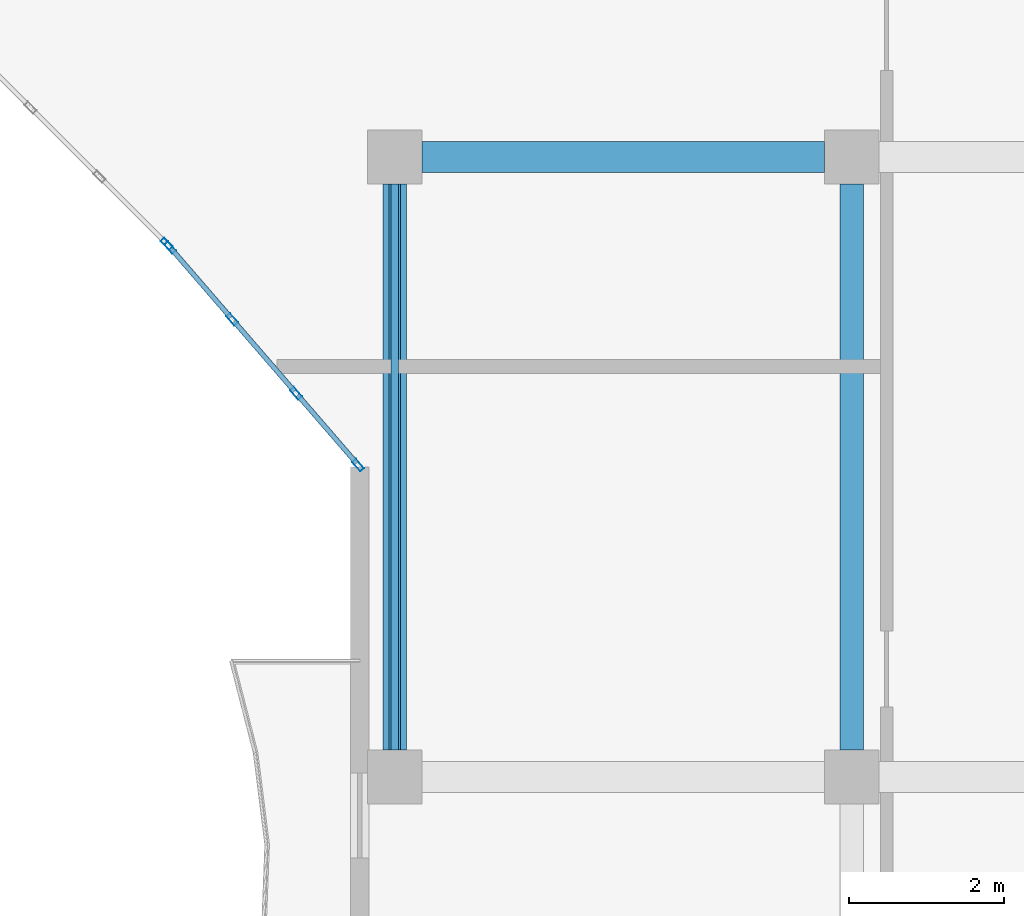
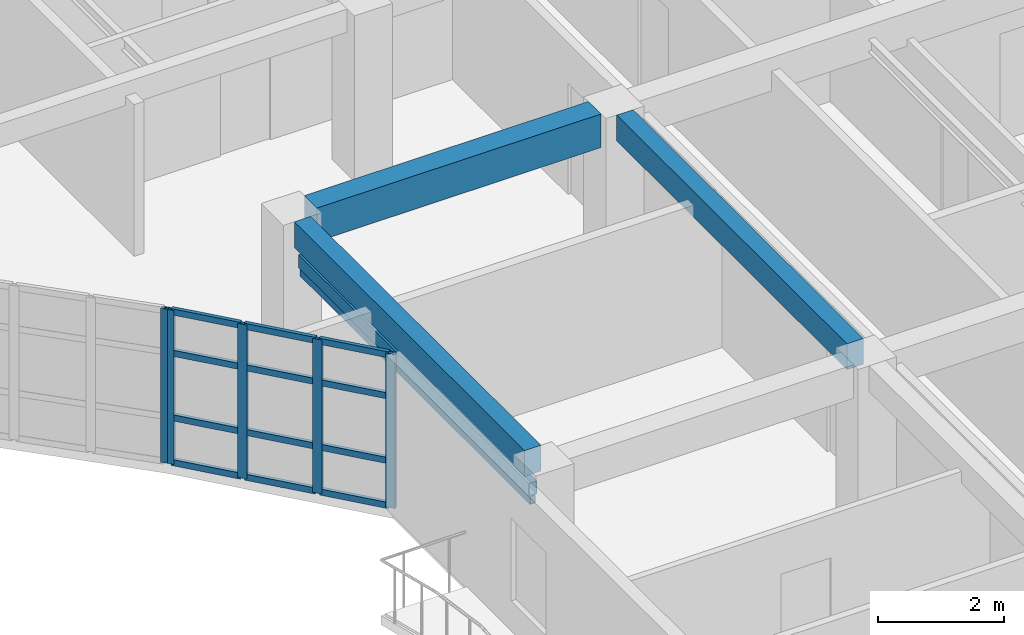
# One storey, part 54 of 128: 19 members, 3 beams, 2 elements without a shape of their own.
"""IFC4 building model written with IfcOpenShell, lengths in metres."""

from ifc_helpers import new_model, si_unit, direction, frame, origin, origin_2d, place, context, subcontext, project, spatial, rectangle, hollow_rectangle, extrude, material, layer, layer_set, material_profile, profile_set, type_object, element, aggregate, save


model = new_model("IFC4")

# Units and contexts
model_context = context("Model", 3, precision=1e-05, world=origin(), true_north=direction((0.0, 1.0)))
body_context = subcontext(model_context, "Body", "Model", "MODEL_VIEW")
ifc_project = project(units=[si_unit("LENGTHUNIT", "METRE"), si_unit("AREAUNIT", "SQUARE_METRE"), si_unit("VOLUMEUNIT", "CUBIC_METRE"), si_unit("PLANEANGLEUNIT", "RADIAN"), si_unit("MASSUNIT", "GRAM", prefix="KILO")], contexts=[model_context])

# Site, building, storey
site_placement = place(None, origin())
site = spatial("IfcSite", under=ifc_project, at=site_placement, CompositionType="ELEMENT")
building_placement = place(site_placement, origin())
building = spatial("IfcBuilding", under=site, at=building_placement, Name="Keldmere Railside Commons", CompositionType="ELEMENT")
storey_placement = place(building_placement, frame((0.0, 0.0, 4.159912109375)))
storey = spatial("IfcBuildingStorey", under=building, at=storey_placement, Name="L01", CompositionType="ELEMENT", Elevation=4.159912109375)

# Member
ifc_material_1 = material(Name="Steel F-36 (S355)", Category="steel")
ifc_material_profile_1 = material_profile(ifc_material_1, hollow_rectangle(XDim=0.14990234375, YDim=0.25, WallThickness=0.010009765625, at=origin_2d()), Name="RHS-250x150x10")
ifc_profile_set_1 = profile_set([ifc_material_profile_1], Name="Steel F-36 (S355)")
member_type_1 = type_object("IfcMemberType", Name="Balcony Continuous Planted Trough RHS250x150", PredefinedType="CHORD", material=ifc_profile_set_1)
member_1_placement = place(storey_placement, frame((104.449951171875, 88.35009765625, 2.4150390625), z_axis=(0.0, 1.0, 0.0), x_axis=(-1.0, 0.0, 0.0)))
element("IfcMember", 1, at=member_1_placement, inside=storey, type_object=member_type_1, Name="PLT-1 MEM-BPLT-0169", PredefinedType="CHORD", context=body_context, shape_type="SweptSolid", body=[
    extrude(hollow_rectangle(XDim=0.14990234375, YDim=0.25, WallThickness=0.010009765625, at=origin_2d()), origin(), (0.0, 0.0, 1.0), 7.2998046875),
])

# Beams
ifc_material_2 = material(Name="Concrete H-30 (C30/37)", Category="concrete")
ifc_material_profile_2 = material_profile(ifc_material_2, rectangle(XDim=0.39990234375, YDim=0.64990234375, at=origin_2d()), Name="RC-400x650")
ifc_profile_set_2 = profile_set([ifc_material_profile_2], Name="Concrete H-30 (C30/37)")
beam_type_1 = type_object("IfcBeamType", Name="Residential Spine RC Girder 400x650", PredefinedType="BEAM", material=ifc_profile_set_2)
beam_placement = place(storey_placement, frame((104.800048828125, 96.0, 2.875), z_axis=(1.0, 0.0, 0.0), x_axis=(0.0, 1.0, 0.0)))
element("IfcBeam", 2, at=beam_placement, inside=storey, type_object=beam_type_1, Name="BG-3 BM-L01-0815", PredefinedType="BEAM", context=body_context, shape_type="SweptSolid", body=[
    extrude(rectangle(XDim=0.39990234375, YDim=0.64990234375, at=origin_2d()), origin(), (0.0, 0.0, 1.0), 5.199951171875),
])
ifc_material_profile_3 = material_profile(ifc_material_2, rectangle(XDim=0.300048828125, YDim=0.5, at=origin_2d()), Name="RC-300x500")
ifc_profile_set_3 = profile_set([ifc_material_profile_3], Name="Concrete H-30 (C30/37)")
beam_type_2 = type_object("IfcBeamType", Name="Secondary Frame RC Beam 300x500", PredefinedType="BEAM", material=ifc_profile_set_3)
for number, where, z_axis, x_axis, name in (
    (3, (104.449951171875, 88.35009765625, 2.9501953125), (0.0, 1.0, 0.0), (-1.0, 0.0, 0.0), "BG-5 BM-L01-0916"),
    (4, (110.35009765625, 88.35009765625, 2.9501953125), (0.0, 1.0, 0.0), (-1.0, 0.0, 0.0), "BG-5 BM-L01-0923"),
):
    element("IfcBeam", number, at=place(storey_placement, frame(where, z_axis=z_axis, x_axis=x_axis)), inside=storey, type_object=beam_type_2, Name=name, PredefinedType="BEAM", context=body_context, shape_type="SweptSolid", body=[
        extrude(rectangle(XDim=0.300048828125, YDim=0.5, at=origin_2d()), origin(), (0.0, 0.0, 1.0), 7.2998046875),
    ])

# Member
ifc_material_profile_4 = material_profile(ifc_material_1, hollow_rectangle(XDim=0.10009765625, YDim=0.159912109375, WallThickness=0.008056640625, at=origin_2d()), Name="RHS-160x100x8")
ifc_profile_set_4 = profile_set([ifc_material_profile_4], Name="Steel F-36 (S355)")
member_type_2 = type_object("IfcMemberType", Name="Solar Brise-Soleil Louvre Fin RHS160x100", PredefinedType="STRUT", material=ifc_profile_set_4)
member_2_placement = place(storey_placement, frame((104.449951171875, 88.35009765625, 2.2001953125), z_axis=(0.0, 1.0, 0.0), x_axis=(-1.0, 0.0, 0.0)))
element("IfcMember", 5, at=member_2_placement, inside=storey, type_object=member_type_2, Name="BSF-1 MEM-BSF-0170", PredefinedType="STRUT", context=body_context, shape_type="SweptSolid", body=[
    extrude(hollow_rectangle(XDim=0.10009765625, YDim=0.159912109375, WallThickness=0.008056640625, at=origin_2d()), origin(), (0.0, 0.0, 1.0), 7.2998046875),
])

# Curtain wall, member
ifc_material_3 = material(Name="Thermally Broken Aluminium", Category="aluminium")
ifc_layer_1 = layer(ifc_material_3, 0.159912109375, Name="Court Chord Wintergarden CW 5400x2850")
ifc_layer_set_1 = layer_set([ifc_layer_1], Name="Thermally Broken Aluminium")
curtain_wall_type_1 = type_object("IfcCurtainWallType", Name="Court Chord Wintergarden CW 5400x2850", PredefinedType="NOTDEFINED", material=ifc_layer_set_1)
curtain_wall_1_placement = place(storey_placement, origin())
curtain_wall_1 = element("IfcCurtainWall", 6, at=curtain_wall_1_placement, inside=storey, type_object=curtain_wall_type_1, Name="CW-13 CW-L01-095", PredefinedType="NOTDEFINED")
ifc_material_profile_5 = material_profile(ifc_material_3, hollow_rectangle(XDim=0.06494140625, YDim=0.159912109375, WallThickness=0.00390625, at=origin_2d()), Name="ALU-MULL-65x160")
ifc_profile_set_5 = profile_set([ifc_material_profile_5], Name="Thermally Broken Aluminium")
member_type_3 = type_object("IfcMemberType", Name="Unitised Curtain Wall Mullion 65x160", PredefinedType="MULLION", material=ifc_profile_set_5)
member_3_placement = place(storey_placement, frame((101.507080078125, 94.880859375, 0.0), z_axis=(0.0, 0.0, 1.0), x_axis=(-0.707106781187, -0.707106781187, 0.0)))
member_3 = element("IfcMember", 7, at=member_3_placement, type_object=member_type_3, Name="CW-13 mullion 1", PredefinedType="MULLION", context=body_context, shape_type="SweptSolid", body=[
    extrude(hollow_rectangle(XDim=0.06494140625, YDim=0.159912109375, WallThickness=0.00390625, at=origin_2d()), origin(), (0.0, 0.0, 1.0), 2.97998046875),
])
aggregate(curtain_wall_1, [member_3])

# Curtain wall, members
ifc_layer_2 = layer(ifc_material_3, 0.159912109375, Name="Court Chord Wintergarden CW 4800x2850")
ifc_layer_set_2 = layer_set([ifc_layer_2], Name="Thermally Broken Aluminium")
curtain_wall_type_2 = type_object("IfcCurtainWallType", Name="Court Chord Wintergarden CW 4800x2850", PredefinedType="NOTDEFINED", material=ifc_layer_set_2)
curtain_wall_2_placement = place(storey_placement, origin())
curtain_wall_2 = element("IfcCurtainWall", 8, at=curtain_wall_2_placement, inside=storey, type_object=curtain_wall_type_2, Name="CW-12 CW-L01-096", PredefinedType="NOTDEFINED")
member_4_placement = place(storey_placement, frame((103.978759765625, 92.024658203125, 0.0), z_axis=(0.0, 0.0, 1.0), x_axis=(-0.756596767584, -0.653881741053, 0.0)))
member_4 = element("IfcMember", 9, at=member_4_placement, type_object=member_type_3, Name="CW-12 mullion 1", PredefinedType="MULLION", context=body_context, shape_type="SweptSolid", body=[
    extrude(hollow_rectangle(XDim=0.06494140625, YDim=0.159912109375, WallThickness=0.00390625, at=origin_2d()), origin(), (0.0, 0.0, 1.0), 2.97998046875),
])
member_5_placement = place(storey_placement, frame((103.1767578125, 92.95263671875, 0.0), z_axis=(0.0, 0.0, 1.0), x_axis=(-0.756596767584, -0.653881741053, 0.0)))
member_5 = element("IfcMember", 10, at=member_5_placement, type_object=member_type_3, Name="CW-12 mullion 2", PredefinedType="MULLION", context=body_context, shape_type="SweptSolid", body=[
    extrude(hollow_rectangle(XDim=0.06494140625, YDim=0.159912109375, WallThickness=0.00390625, at=origin_2d()), origin(), (0.0, 0.0, 1.0), 2.97998046875),
])
member_6_placement = place(storey_placement, frame((102.353271484375, 93.9052734375, 0.0), z_axis=(0.0, 0.0, 1.0), x_axis=(-0.756596767584, -0.653881741053, 0.0)))
member_6 = element("IfcMember", 11, at=member_6_placement, type_object=member_type_3, Name="CW-12 mullion 3", PredefinedType="MULLION", context=body_context, shape_type="SweptSolid", body=[
    extrude(hollow_rectangle(XDim=0.06494140625, YDim=0.159912109375, WallThickness=0.00390625, at=origin_2d()), origin(), (0.0, 0.0, 1.0), 2.97998046875),
])
member_7_placement = place(storey_placement, frame((101.55126953125, 94.83349609375, 0.0), z_axis=(0.0, 0.0, 1.0), x_axis=(-0.756596767584, -0.653881741053, 0.0)))
member_7 = element("IfcMember", 12, at=member_7_placement, type_object=member_type_3, Name="CW-12 mullion 4", PredefinedType="MULLION", context=body_context, shape_type="SweptSolid", body=[
    extrude(hollow_rectangle(XDim=0.06494140625, YDim=0.159912109375, WallThickness=0.00390625, at=origin_2d()), origin(), (0.0, 0.0, 1.0), 2.97998046875),
])
ifc_material_profile_6 = material_profile(ifc_material_3, hollow_rectangle(XDim=0.06494140625, YDim=0.1201171875, WallThickness=0.00390625, at=origin_2d()), Name="ALU-TRAN-65x120")
ifc_profile_set_6 = profile_set([ifc_material_profile_6], Name="Thermally Broken Aluminium")
member_type_4 = type_object("IfcMemberType", Name="Unitised Curtain Wall Transom 65x120", PredefinedType="USERDEFINED", material=ifc_profile_set_6)
member_8_placement = place(storey_placement, frame((103.95751953125, 92.049072265625, 0.032470703125), z_axis=(-0.653849663033, 0.756624489527, 0.0), x_axis=(-0.756624489527, -0.653849663033, 0.0)))
member_8 = element("IfcMember", 13, at=member_8_placement, type_object=member_type_4, Name="CW-12 transom 1.1", ObjectType="TRANSOM", PredefinedType="USERDEFINED", context=body_context, shape_type="SweptSolid", body=[
    extrude(hollow_rectangle(XDim=0.06494140625, YDim=0.1201171875, WallThickness=0.00390625, at=origin_2d()), origin(), (0.0, 0.0, 1.0), 1.16162109375),
])
member_9_placement = place(storey_placement, frame((103.95751953125, 92.049072265625, 0.900146484375), z_axis=(-0.653849663033, 0.756624489527, 0.0), x_axis=(-0.756624489527, -0.653849663033, 0.0)))
member_9 = element("IfcMember", 14, at=member_9_placement, type_object=member_type_4, Name="CW-12 transom 1.2", ObjectType="TRANSOM", PredefinedType="USERDEFINED", context=body_context, shape_type="SweptSolid", body=[
    extrude(hollow_rectangle(XDim=0.06494140625, YDim=0.1201171875, WallThickness=0.00390625, at=origin_2d()), origin(), (0.0, 0.0, 1.0), 1.16162109375),
])
member_10_placement = place(storey_placement, frame((103.95751953125, 92.049072265625, 2.150146484375), z_axis=(-0.653849663033, 0.756624489527, 0.0), x_axis=(-0.756624489527, -0.653849663033, 0.0)))
member_10 = element("IfcMember", 15, at=member_10_placement, type_object=member_type_4, Name="CW-12 transom 1.3", ObjectType="TRANSOM", PredefinedType="USERDEFINED", context=body_context, shape_type="SweptSolid", body=[
    extrude(hollow_rectangle(XDim=0.06494140625, YDim=0.1201171875, WallThickness=0.00390625, at=origin_2d()), origin(), (0.0, 0.0, 1.0), 1.16162109375),
])
member_11_placement = place(storey_placement, frame((103.95751953125, 92.049072265625, 2.947509765625), z_axis=(-0.653849663033, 0.756624489527, 0.0), x_axis=(-0.756624489527, -0.653849663033, 0.0)))
member_11 = element("IfcMember", 16, at=member_11_placement, type_object=member_type_4, Name="CW-12 transom 1.4", ObjectType="TRANSOM", PredefinedType="USERDEFINED", context=body_context, shape_type="SweptSolid", body=[
    extrude(hollow_rectangle(XDim=0.06494140625, YDim=0.1201171875, WallThickness=0.00390625, at=origin_2d()), origin(), (0.0, 0.0, 1.0), 1.16162109375),
])
member_12_placement = place(storey_placement, frame((103.155517578125, 92.977294921875, 0.032470703125), z_axis=(-0.653933819796, 0.756551755881, 0.0), x_axis=(-0.756551755881, -0.653933819796, 0.0)))
member_12 = element("IfcMember", 17, at=member_12_placement, type_object=member_type_4, Name="CW-12 transom 2.1", ObjectType="TRANSOM", PredefinedType="USERDEFINED", context=body_context, shape_type="SweptSolid", body=[
    extrude(hollow_rectangle(XDim=0.06494140625, YDim=0.1201171875, WallThickness=0.00390625, at=origin_2d()), origin(), (0.0, 0.0, 1.0), 1.1943359375),
])
member_13_placement = place(storey_placement, frame((103.155517578125, 92.977294921875, 0.900146484375), z_axis=(-0.653933819796, 0.756551755881, 0.0), x_axis=(-0.756551755881, -0.653933819796, 0.0)))
member_13 = element("IfcMember", 18, at=member_13_placement, type_object=member_type_4, Name="CW-12 transom 2.2", ObjectType="TRANSOM", PredefinedType="USERDEFINED", context=body_context, shape_type="SweptSolid", body=[
    extrude(hollow_rectangle(XDim=0.06494140625, YDim=0.1201171875, WallThickness=0.00390625, at=origin_2d()), origin(), (0.0, 0.0, 1.0), 1.1943359375),
])
member_14_placement = place(storey_placement, frame((103.155517578125, 92.977294921875, 2.150146484375), z_axis=(-0.653933819796, 0.756551755881, 0.0), x_axis=(-0.756551755881, -0.653933819796, 0.0)))
member_14 = element("IfcMember", 19, at=member_14_placement, type_object=member_type_4, Name="CW-12 transom 2.3", ObjectType="TRANSOM", PredefinedType="USERDEFINED", context=body_context, shape_type="SweptSolid", body=[
    extrude(hollow_rectangle(XDim=0.06494140625, YDim=0.1201171875, WallThickness=0.00390625, at=origin_2d()), origin(), (0.0, 0.0, 1.0), 1.1943359375),
])
member_15_placement = place(storey_placement, frame((103.155517578125, 92.977294921875, 2.947509765625), z_axis=(-0.653933819796, 0.756551755881, 0.0), x_axis=(-0.756551755881, -0.653933819796, 0.0)))
member_15 = element("IfcMember", 20, at=member_15_placement, type_object=member_type_4, Name="CW-12 transom 2.4", ObjectType="TRANSOM", PredefinedType="USERDEFINED", context=body_context, shape_type="SweptSolid", body=[
    extrude(hollow_rectangle(XDim=0.06494140625, YDim=0.1201171875, WallThickness=0.00390625, at=origin_2d()), origin(), (0.0, 0.0, 1.0), 1.1943359375),
])
member_16_placement = place(storey_placement, frame((102.33203125, 93.929931640625, 0.032470703125), z_axis=(-0.653849663033, 0.756624489527, 0.0), x_axis=(-0.756624489527, -0.653849663033, 0.0)))
member_16 = element("IfcMember", 21, at=member_16_placement, type_object=member_type_4, Name="CW-12 transom 3.1", ObjectType="TRANSOM", PredefinedType="USERDEFINED", context=body_context, shape_type="SweptSolid", body=[
    extrude(hollow_rectangle(XDim=0.06494140625, YDim=0.1201171875, WallThickness=0.00390625, at=origin_2d()), origin(), (0.0, 0.0, 1.0), 1.16162109375),
])
member_17_placement = place(storey_placement, frame((102.33203125, 93.929931640625, 0.900146484375), z_axis=(-0.653849663033, 0.756624489527, 0.0), x_axis=(-0.756624489527, -0.653849663033, 0.0)))
member_17 = element("IfcMember", 22, at=member_17_placement, type_object=member_type_4, Name="CW-12 transom 3.2", ObjectType="TRANSOM", PredefinedType="USERDEFINED", context=body_context, shape_type="SweptSolid", body=[
    extrude(hollow_rectangle(XDim=0.06494140625, YDim=0.1201171875, WallThickness=0.00390625, at=origin_2d()), origin(), (0.0, 0.0, 1.0), 1.16162109375),
])
member_18_placement = place(storey_placement, frame((102.33203125, 93.929931640625, 2.150146484375), z_axis=(-0.653849663033, 0.756624489527, 0.0), x_axis=(-0.756624489527, -0.653849663033, 0.0)))
member_18 = element("IfcMember", 23, at=member_18_placement, type_object=member_type_4, Name="CW-12 transom 3.3", ObjectType="TRANSOM", PredefinedType="USERDEFINED", context=body_context, shape_type="SweptSolid", body=[
    extrude(hollow_rectangle(XDim=0.06494140625, YDim=0.1201171875, WallThickness=0.00390625, at=origin_2d()), origin(), (0.0, 0.0, 1.0), 1.16162109375),
])
member_19_placement = place(storey_placement, frame((102.33203125, 93.929931640625, 2.947509765625), z_axis=(-0.653849663033, 0.756624489527, 0.0), x_axis=(-0.756624489527, -0.653849663033, 0.0)))
member_19 = element("IfcMember", 24, at=member_19_placement, type_object=member_type_4, Name="CW-12 transom 3.4", ObjectType="TRANSOM", PredefinedType="USERDEFINED", context=body_context, shape_type="SweptSolid", body=[
    extrude(hollow_rectangle(XDim=0.06494140625, YDim=0.1201171875, WallThickness=0.00390625, at=origin_2d()), origin(), (0.0, 0.0, 1.0), 1.16162109375),
])
aggregate(curtain_wall_2, [member_4, member_5, member_6, member_7, member_8, member_9, member_10, member_11, member_12, member_13, member_14, member_15, member_16, member_17, member_18, member_19])

save(model, "model.ifc")
